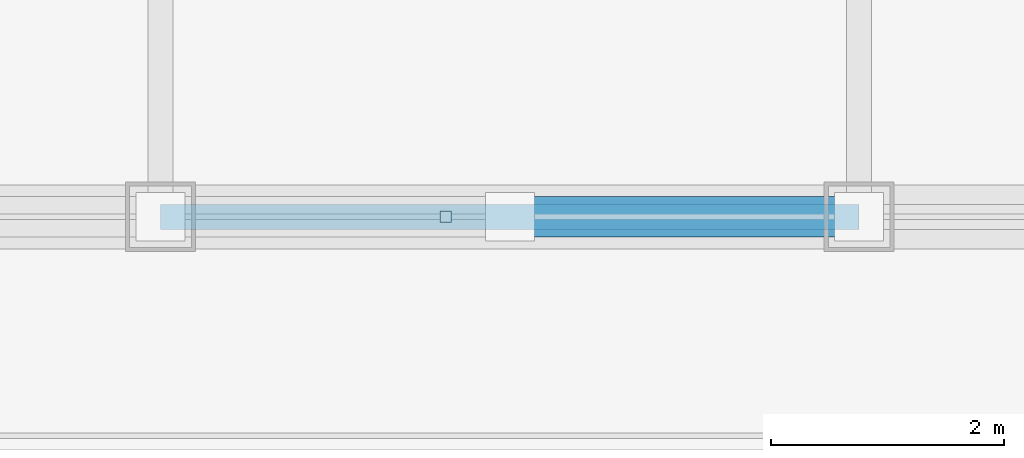
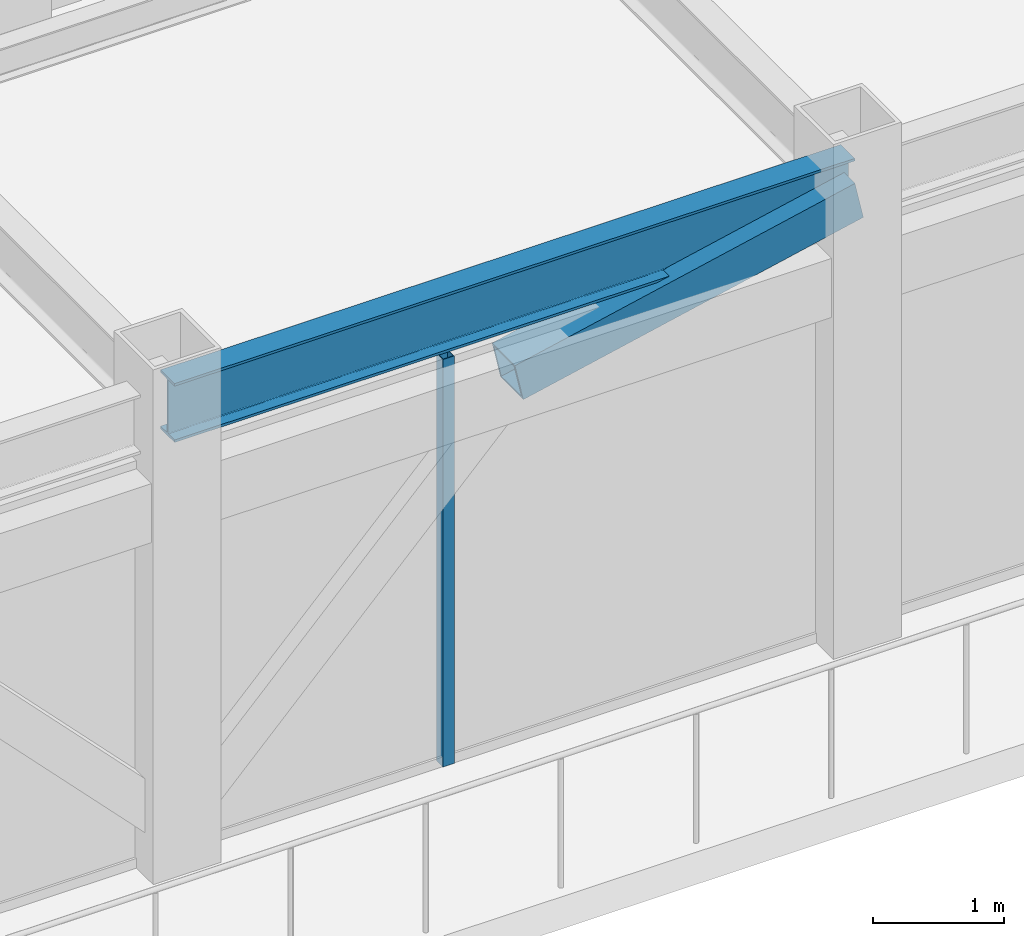
# One storey, part 4 of 32: 2 members, 1 beam, 1 element without a shape of its own.
"""IFC4 building model written with IfcOpenShell, lengths in metres."""

from ifc_helpers import new_model, si_unit, direction, frame, origin, origin_2d, place, context, subcontext, project, spatial, hollow_rectangle, i_section, extrude, source, transform, mapped, material, material_profile, profile_set, type_object, element, aggregate, save


model = new_model("IFC4")

# Units and contexts
model_context = context("Model", 3, precision=1e-05, world=origin(), true_north=direction((0.0, 1.0)))
body_context = subcontext(model_context, "Body", "Model", "MODEL_VIEW")
ifc_project = project(units=[si_unit("LENGTHUNIT", "METRE"), si_unit("AREAUNIT", "SQUARE_METRE"), si_unit("VOLUMEUNIT", "CUBIC_METRE"), si_unit("PLANEANGLEUNIT", "RADIAN"), si_unit("MASSUNIT", "GRAM", prefix="KILO")], contexts=[model_context])

# Site, building, storey
site_placement = place(None, origin())
site = spatial("IfcSite", under=ifc_project, at=site_placement, CompositionType="ELEMENT")
building_placement = place(site_placement, origin())
building = spatial("IfcBuilding", under=site, at=building_placement, Name="Khorayat Bourse Tower", CompositionType="ELEMENT")
storey_placement = place(building_placement, frame((0.0, 0.0, 375.5)))
storey = spatial("IfcBuildingStorey", under=building, at=storey_placement, Name="L89", CompositionType="ELEMENT", Elevation=375.5)

# Beam
ifc_material_1 = material(Name="Steel ASTM A992 Grade 50", Category="steel")
ifc_material_profile_1 = material_profile(ifc_material_1, i_section(OverallWidth=0.214111328125, OverallDepth=0.549072265625, WebThickness=0.0146484375, FlangeThickness=0.023681640625, FilletRadius=0.013916015625, at=origin_2d()), Name="W530X138")
ifc_profile_set_1 = profile_set([ifc_material_profile_1], Name="Steel ASTM A992 Grade 50")
beam_type = type_object("IfcBeamType", Name="BM-SPAN-530", PredefinedType="SPANDREL", material=ifc_profile_set_1)
shared_shape_1 = source(origin(), body_context, "Body", "SweptSolid", [
    extrude(i_section(OverallWidth=0.214111328125, OverallDepth=0.549072265625, WebThickness=0.0146484375, FlangeThickness=0.023681640625, FilletRadius=0.013916015625, at=origin_2d()), origin(), (0.0, 0.0, 1.0), 6.0),
])
beam_placement = place(storey_placement, frame((0.0, -24.0, 4.175537109375), z_axis=(1.0, 0.0, 0.0), x_axis=(0.0, 1.0, 0.0)))
element("IfcBeam", 1, at=beam_placement, inside=storey, type_object=beam_type, Name="L89 BM-SPAN-530 BM-L89-SPN-027", PredefinedType="SPANDREL", context=body_context, shape_type="MappedRepresentation", body=[
    mapped(shared_shape_1, transform((0.0, 0.0, 0.0), scale=1.0)),
])

# Member
ifc_material_2 = material(Name="Steel EN 10025-2 S355J2", Category="steel")
ifc_material_profile_2 = material_profile(ifc_material_2, hollow_rectangle(XDim=0.35009765625, YDim=0.35009765625, WallThickness=0.02001953125, at=origin_2d()), Name="HSS 350x350x20")
ifc_profile_set_2 = profile_set([ifc_material_profile_2], Name="Steel EN 10025-2 S355J2")
member_type_1 = type_object("IfcMemberType", Name="MBR-CROWN-350", PredefinedType="USERDEFINED", material=ifc_profile_set_2)
shared_shape_2 = source(origin(), body_context, "Body", "SweptSolid", [
    extrude(hollow_rectangle(XDim=0.35009765625, YDim=0.35009765625, WallThickness=0.02001953125, at=origin_2d()), origin(), (0.0, 0.0, 1.0), 3.069580078125),
])
member_1_placement = place(storey_placement, frame((3.0, -24.0, 3.449951171875), z_axis=(0.977313263163, 0.0, 0.211798927393), x_axis=(0.0, 1.0, 0.0)))
element("IfcMember", 2, at=member_1_placement, inside=storey, type_object=member_type_1, Name="L89 Lantern Crown Frame Member 04", ObjectType="CROWN FRAME", PredefinedType="USERDEFINED", context=body_context, shape_type="MappedRepresentation", body=[
    mapped(shared_shape_2, transform((0.0, 0.0, 0.0), scale=1.0)),
])

# Curtain wall, member
ifc_material_3 = material(Name="Aluminium EN AW-6063 T6", Category="aluminium")
curtain_wall_type = type_object("IfcCurtainWallType", Name="CW-SYS-07", PredefinedType="NOTDEFINED", material=ifc_material_3)
curtain_wall_placement = place(storey_placement, origin())
curtain_wall = element("IfcCurtainWall", 3, at=curtain_wall_placement, inside=storey, type_object=curtain_wall_type, Name="L89 Curtain Wall CW-L89-S2", PredefinedType="NOTDEFINED")
ifc_material_profile_3 = material_profile(ifc_material_3, hollow_rectangle(XDim=0.10009765625, YDim=0.10009765625, WallThickness=0.0048828125, at=origin_2d()), Name="ALU 100x100x5")
ifc_profile_set_3 = profile_set([ifc_material_profile_3], Name="Aluminium EN AW-6063 T6")
member_type_2 = type_object("IfcMemberType", Name="CWM-LANTERN-100", PredefinedType="MULLION", material=ifc_profile_set_3)
shared_shape_3 = source(origin(), body_context, "Body", "SweptSolid", [
    extrude(hollow_rectangle(XDim=0.10009765625, YDim=0.10009765625, WallThickness=0.0048828125, at=origin_2d()), origin(), (0.0, 0.0, 1.0), 3.800048828125),
])
member_2_placement = place(storey_placement, frame((2.449951171875, -24.0, 0.0), z_axis=(0.0, 0.0, 1.0), x_axis=(0.0, 1.0, 0.0)))
member_2 = element("IfcMember", 4, at=member_2_placement, type_object=member_type_2, Name="CW-L89-S2 Vertical Mullion 2", PredefinedType="MULLION", context=body_context, shape_type="MappedRepresentation", body=[
    mapped(shared_shape_3, transform((0.0, 0.0, 0.0), scale=1.0)),
])
aggregate(curtain_wall, [member_2])

save(model, "model.ifc")
